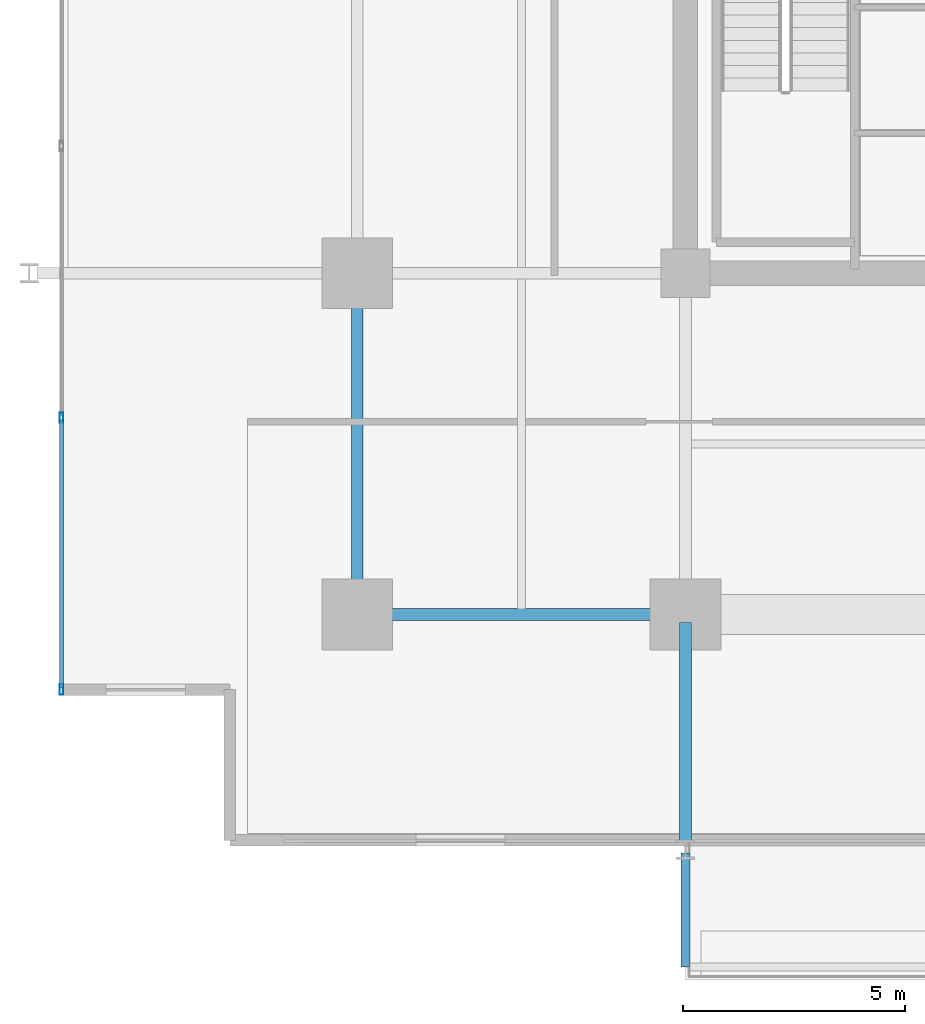
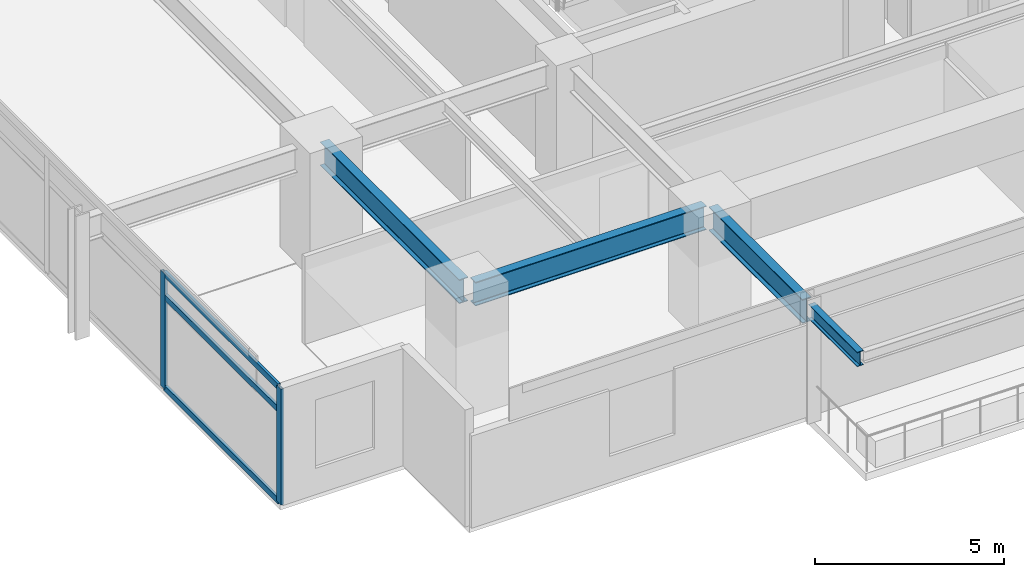
# One storey, part 2 of 21: 5 members, 4 beams, 1 element without a shape of its own.
"""IFC4 building model written with IfcOpenShell, lengths in metres."""

from ifc_helpers import new_model, si_unit, direction, frame, origin, origin_2d, place, context, subcontext, project, spatial, hollow_rectangle, i_section, extrude, material, material_profile, profile_set, type_object, element, aggregate, save


model = new_model("IFC4")

# Units and contexts
model_context = context("Model", 3, precision=1e-05, world=origin(), true_north=direction((0.0, 1.0)))
body_context = subcontext(model_context, "Body", "Model", "MODEL_VIEW")
ifc_project = project(units=[si_unit("LENGTHUNIT", "METRE"), si_unit("AREAUNIT", "SQUARE_METRE"), si_unit("VOLUMEUNIT", "CUBIC_METRE"), si_unit("PLANEANGLEUNIT", "RADIAN"), si_unit("MASSUNIT", "GRAM", prefix="KILO")], contexts=[model_context])

# Site, building, storey
site_placement = place(None, origin())
site = spatial("IfcSite", under=ifc_project, at=site_placement, CompositionType="ELEMENT")
building_placement = place(site_placement, origin())
building = spatial("IfcBuilding", under=site, at=building_placement, Name="Kovane Verandah Tower", CompositionType="ELEMENT")
storey_placement = place(building_placement, frame((0.0, 0.0, 172.39990234375)))
storey = spatial("IfcBuildingStorey", under=building, at=storey_placement, Name="L40", CompositionType="ELEMENT", Elevation=172.39990234375)

# Beams
ifc_material_1 = material(Name="Steel S355", Category="steel")
ifc_material_profile_1 = material_profile(ifc_material_1, i_section(OverallWidth=0.26806640625, OverallDepth=0.769775390625, WebThickness=0.015625, FlangeThickness=0.025390625, FilletRadius=0.0166015625, at=origin_2d()), Name="UB762x267x197")
ifc_profile_set_1 = profile_set([ifc_material_profile_1], Name="Steel S355")
beam_type_1 = type_object("IfcBeamType", Name="BM-UB762x197", PredefinedType="BEAM", material=ifc_profile_set_1)
beam_1_placement = place(storey_placement, frame((21.780029296875, 10.800048828125, 3.39013671875), z_axis=(1.0, 0.0, 0.0), x_axis=(0.0, 1.0, 0.0)))
element("IfcBeam", 1, at=beam_1_placement, inside=storey, type_object=beam_type_1, Name="L40 Primary Tower Girder G-RS1", PredefinedType="BEAM", context=body_context, shape_type="SweptSolid", body=[
    extrude(i_section(OverallWidth=0.26806640625, OverallDepth=0.769775390625, WebThickness=0.015625, FlangeThickness=0.025390625, FilletRadius=0.0166015625, at=origin_2d()), origin(), (0.0, 0.0, 1.0), 7.0400390625),
])
beam_2_placement = place(storey_placement, frame((21.60009765625, 10.97998046875, 3.39013671875), z_axis=(0.0, 1.0, 0.0), x_axis=(-1.0, 0.0, 0.0)))
element("IfcBeam", 2, at=beam_2_placement, inside=storey, type_object=beam_type_1, Name="L40 Primary Tower Girder G-RW1", PredefinedType="BEAM", context=body_context, shape_type="SweptSolid", body=[
    extrude(i_section(OverallWidth=0.26806640625, OverallDepth=0.769775390625, WebThickness=0.015625, FlangeThickness=0.025390625, FilletRadius=0.0166015625, at=origin_2d()), origin(), (0.0, 0.0, 1.0), 7.340087890625),
])
beam_3_placement = place(storey_placement, frame((29.0, 10.6201171875, 3.375244140625), z_axis=(0.0, -1.0, 0.0), x_axis=(1.0, 0.0, 0.0)))
element("IfcBeam", 3, at=beam_3_placement, inside=storey, type_object=beam_type_1, Name="L40 Primary Tower Girder G-VS1", PredefinedType="BEAM", context=body_context, shape_type="SweptSolid", body=[
    extrude(i_section(OverallWidth=0.26806640625, OverallDepth=0.769775390625, WebThickness=0.015625, FlangeThickness=0.025390625, FilletRadius=0.0166015625, at=origin_2d()), origin(), (0.0, 0.0, 1.0), 4.940185546875),
])

# Curtain wall, members
ifc_material_2 = material(Name="Champagne Anodised Aluminium Frame with Low-E Clear Laminated Glass", Category="aluminium")
curtain_wall_type = type_object("IfcCurtainWallType", Name="CW-SYS-03-MID", PredefinedType="NOTDEFINED", material=ifc_material_2)
curtain_wall_placement = place(storey_placement, origin())
curtain_wall = element("IfcCurtainWall", 4, at=curtain_wall_placement, inside=storey, type_object=curtain_wall_type, Name="L40 W Unitised Curtain Wall", PredefinedType="NOTDEFINED")
ifc_material_3 = material(Name="Champagne Anodised Aluminium 6063-T6", Category="aluminium")
ifc_material_profile_2 = material_profile(ifc_material_3, hollow_rectangle(XDim=0.0849609375, YDim=0.22998046875, WallThickness=0.00390625, at=origin_2d()), Name="AL85x230x4")
ifc_profile_set_2 = profile_set([ifc_material_profile_2], Name="Champagne Anodised Aluminium 6063-T6")
member_type_1 = type_object("IfcMemberType", Name="CW-MUL-85x230", PredefinedType="MULLION", material=ifc_profile_set_2)
member_1_placement = place(storey_placement, frame((14.9296875, 15.240478515625, 0.02001953125), z_axis=(0.0, 0.0, 1.0), x_axis=(-1.0, 0.0, 0.0)))
member_1 = element("IfcMember", 5, at=member_1_placement, type_object=member_type_1, Name="L40 W Unitised Curtain Wall Mullion 6", PredefinedType="MULLION", context=body_context, shape_type="SweptSolid", body=[
    extrude(hollow_rectangle(XDim=0.0849609375, YDim=0.22998046875, WallThickness=0.00390625, at=origin_2d()), origin(), (0.0, 0.0, 1.0), 3.735107421875),
])
member_2_placement = place(storey_placement, frame((14.9296875, 9.110595703125, 0.02001953125), z_axis=(0.0, 0.0, 1.0), x_axis=(-1.0, 0.0, 0.0)))
member_2 = element("IfcMember", 6, at=member_2_placement, type_object=member_type_1, Name="L40 W Unitised Curtain Wall Mullion 7", PredefinedType="MULLION", context=body_context, shape_type="SweptSolid", body=[
    extrude(hollow_rectangle(XDim=0.0849609375, YDim=0.22998046875, WallThickness=0.00390625, at=origin_2d()), origin(), (0.0, 0.0, 1.0), 3.735107421875),
])
ifc_material_profile_3 = material_profile(ifc_material_3, hollow_rectangle(XDim=0.0849609375, YDim=0.18994140625, WallThickness=0.00390625, at=origin_2d()), Name="AL85x190x4")
ifc_profile_set_3 = profile_set([ifc_material_profile_3], Name="Champagne Anodised Aluminium 6063-T6")
member_type_2 = type_object("IfcMemberType", Name="CW-TRN-85x190", PredefinedType="USERDEFINED", material=ifc_profile_set_3)
member_3_placement = place(storey_placement, frame((14.9296875, 15.1904296875, 0.050048828125), z_axis=(0.0, -1.0, 0.0), x_axis=(1.0, 0.0, 0.0)))
member_3 = element("IfcMember", 7, at=member_3_placement, type_object=member_type_2, Name="L40 W Unitised Curtain Wall Transom TB Bay 6", ObjectType="TRANSOM", PredefinedType="USERDEFINED", context=body_context, shape_type="SweptSolid", body=[
    extrude(hollow_rectangle(XDim=0.0849609375, YDim=0.18994140625, WallThickness=0.00390625, at=origin_2d()), origin(), (0.0, 0.0, 1.0), 6.02978515625),
])
member_4_placement = place(storey_placement, frame((14.9296875, 15.1904296875, 2.9951171875), z_axis=(0.0, -1.0, 0.0), x_axis=(1.0, 0.0, 0.0)))
member_4 = element("IfcMember", 8, at=member_4_placement, type_object=member_type_2, Name="L40 W Unitised Curtain Wall Transom TM Bay 6", ObjectType="TRANSOM", PredefinedType="USERDEFINED", context=body_context, shape_type="SweptSolid", body=[
    extrude(hollow_rectangle(XDim=0.0849609375, YDim=0.18994140625, WallThickness=0.00390625, at=origin_2d()), origin(), (0.0, 0.0, 1.0), 6.02978515625),
])
member_5_placement = place(storey_placement, frame((14.9296875, 15.1904296875, 3.72509765625), z_axis=(0.0, -1.0, 0.0), x_axis=(1.0, 0.0, 0.0)))
member_5 = element("IfcMember", 9, at=member_5_placement, type_object=member_type_2, Name="L40 W Unitised Curtain Wall Transom TT Bay 6", ObjectType="TRANSOM", PredefinedType="USERDEFINED", context=body_context, shape_type="SweptSolid", body=[
    extrude(hollow_rectangle(XDim=0.0849609375, YDim=0.18994140625, WallThickness=0.00390625, at=origin_2d()), origin(), (0.0, 0.0, 1.0), 6.02978515625),
])
aggregate(curtain_wall, [member_1, member_2, member_3, member_4, member_5])

# Beam
ifc_material_profile_4 = material_profile(ifc_material_1, i_section(OverallWidth=0.19287109375, OverallDepth=0.46728515625, WebThickness=0.011474609375, FlangeThickness=0.01953125, FilletRadius=0.01025390625, at=origin_2d()), Name="UB457x191x98")
ifc_profile_set_4 = profile_set([ifc_material_profile_4], Name="Steel S355")
beam_type_2 = type_object("IfcBeamType", Name="JST-UB457x98", PredefinedType="JOIST", material=ifc_profile_set_4)
beam_4_placement = place(storey_placement, frame((29.0, 5.419921875, 3.526611328125), z_axis=(0.0, -1.0, 0.0), x_axis=(1.0, 0.0, 0.0)))
element("IfcBeam", 10, at=beam_4_placement, inside=storey, type_object=beam_type_2, Name="L40 South Planter Girder 1", PredefinedType="JOIST", context=body_context, shape_type="SweptSolid", body=[
    extrude(i_section(OverallWidth=0.19287109375, OverallDepth=0.46728515625, WebThickness=0.011474609375, FlangeThickness=0.01953125, FilletRadius=0.01025390625, at=origin_2d()), origin(), (0.0, 0.0, 1.0), 2.56494140625),
])

save(model, "model.ifc")
